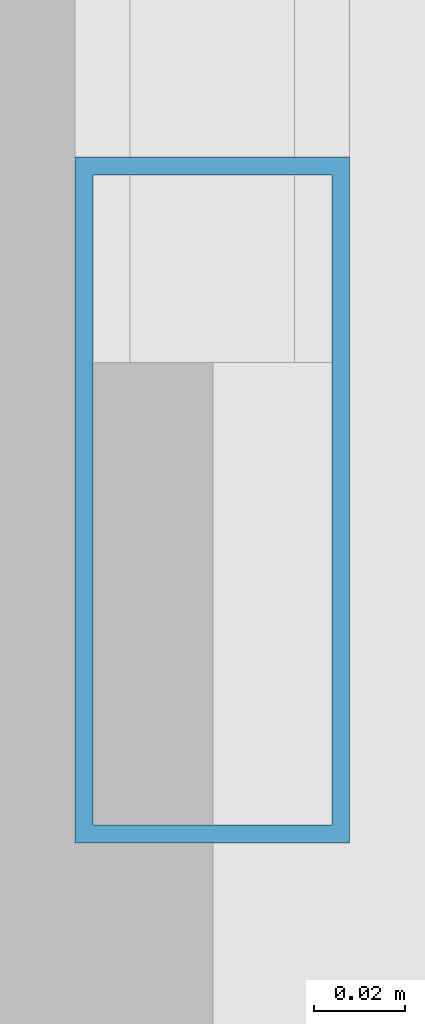
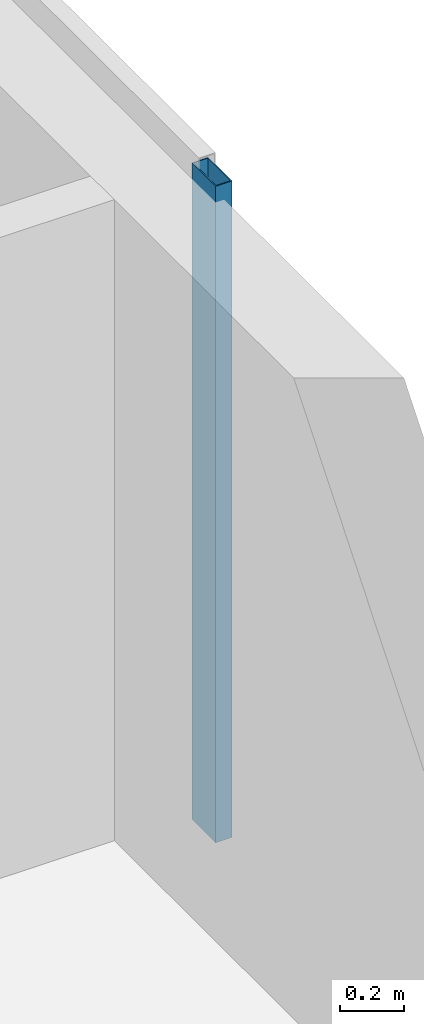
# One storey, part 2 of 10: 1 member, 1 element without a shape of its own.
"""IFC4 building model written with IfcOpenShell, lengths in metres."""

from ifc_helpers import new_model, si_unit, direction, frame, origin, origin_2d, place, context, subcontext, project, spatial, hollow_rectangle, extrude, material, material_profile, profile_set, type_object, element, aggregate, save


model = new_model("IFC4")

# Units and contexts
model_context = context("Model", 3, precision=1e-05, world=origin(), true_north=direction((0.0, 1.0)))
body_context = subcontext(model_context, "Body", "Model", "MODEL_VIEW")
ifc_project = project(units=[si_unit("LENGTHUNIT", "METRE"), si_unit("AREAUNIT", "SQUARE_METRE"), si_unit("VOLUMEUNIT", "CUBIC_METRE"), si_unit("PLANEANGLEUNIT", "RADIAN"), si_unit("MASSUNIT", "GRAM", prefix="KILO")], contexts=[model_context])

# Site, building, storey
site_placement = place(None, origin())
site = spatial("IfcSite", under=ifc_project, at=site_placement, CompositionType="ELEMENT")
building_placement = place(site_placement, origin())
building = spatial("IfcBuilding", under=site, at=building_placement, Name="Kuzgunbayir Cultural Tower", CompositionType="ELEMENT")
storey_placement = place(building_placement, frame((0.0, 0.0, 160.0)))
storey = spatial("IfcBuildingStorey", under=building, at=storey_placement, Name="L46", CompositionType="ELEMENT", Elevation=160.0)

# Curtain wall, member
ifc_material = material(Name="Anodised Aluminium Framing", Category="aluminium")
curtain_wall_type = type_object("IfcCurtainWallType", Name="CW02-PORTAL-SOFFIT", PredefinedType="NOTDEFINED", material=ifc_material)
curtain_wall_placement = place(storey_placement, origin())
curtain_wall = element("IfcCurtainWall", 1, at=curtain_wall_placement, inside=storey, type_object=curtain_wall_type, Name="L46 Wind-Portal Aperture Curtain Wall", PredefinedType="NOTDEFINED")
ifc_material_profile = material_profile(ifc_material, hollow_rectangle(XDim=0.06005859375, YDim=0.14990234375, WallThickness=0.00390625, at=origin_2d()), Name="RHS 150x60x4")
ifc_profile_set = profile_set([ifc_material_profile], Name="Anodised Aluminium Framing")
member_type = type_object("IfcMemberType", Name="MEM-CW-MULLION-150", PredefinedType="MULLION", material=ifc_profile_set)
member_placement = place(storey_placement, frame((31.14990234375, 34.22998046875, 0.0), z_axis=(0.0, 0.0, 1.0), x_axis=(-1.0, 0.0, 0.0)))
member = element("IfcMember", 2, at=member_placement, type_object=member_type, Name="CW02 mullion 1", PredefinedType="MULLION", context=body_context, shape_type="SweptSolid", body=[
    extrude(hollow_rectangle(XDim=0.06005859375, YDim=0.14990234375, WallThickness=0.00390625, at=origin_2d()), origin(), (0.0, 0.0, 1.0), 2.52001953125),
])
aggregate(curtain_wall, [member])

save(model, "model.ifc")
